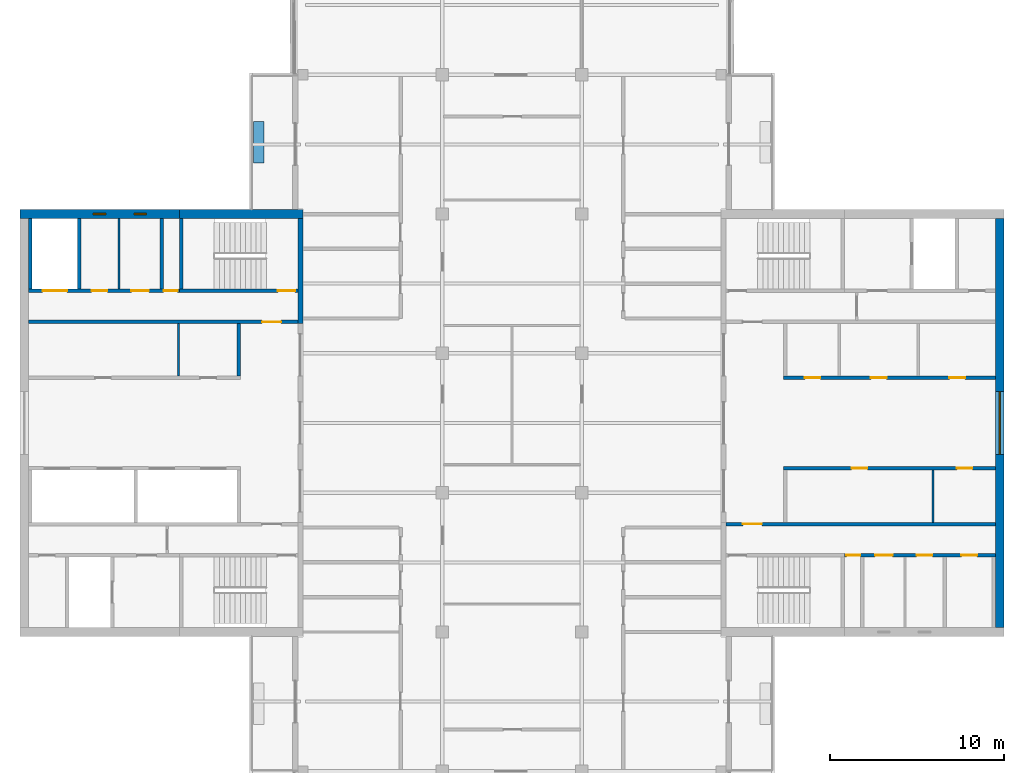
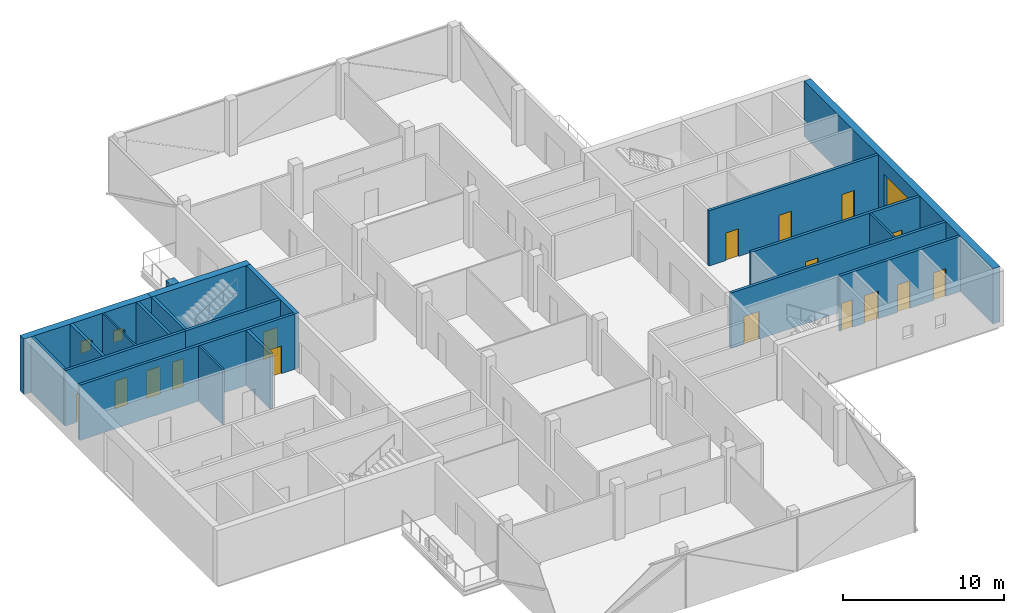
# One storey, part 7 of 12: 20 walls, 16 doors, 3 windows, 19 openings.
"""IFC4 building model written with IfcOpenShell, lengths in metres."""

from ifc_helpers import new_model, si_unit, direction, frame, frame_2d, origin, place, context, subcontext, project, spatial, rectangle, extrude, material, layer, layer_set, constituent, constituent_set, type_object, element, fill, save


model = new_model("IFC4")

# Units and contexts
model_context = context("Model", 3, precision=1e-05, world=origin(), true_north=direction((0.0, 1.0)))
body_context = subcontext(model_context, "Body", "Model", "MODEL_VIEW")
ifc_project = project(units=[si_unit("LENGTHUNIT", "METRE"), si_unit("AREAUNIT", "SQUARE_METRE"), si_unit("VOLUMEUNIT", "CUBIC_METRE"), si_unit("PLANEANGLEUNIT", "RADIAN"), si_unit("MASSUNIT", "GRAM", prefix="KILO")], contexts=[model_context])

# Site, building, storey
site_placement = place(None, origin())
site = spatial("IfcSite", under=ifc_project, at=site_placement, CompositionType="ELEMENT")
building_placement = place(site_placement, origin())
building = spatial("IfcBuilding", under=site, at=building_placement, Name="Crosswind Convention Tower", CompositionType="ELEMENT")
storey_placement = place(building_placement, frame((0.0, 0.0, 245.10009765625)))
storey = spatial("IfcBuildingStorey", under=building, at=storey_placement, Name="L52", CompositionType="ELEMENT", Elevation=245.10009765625)

# Walls
ifc_material_1 = material(Name="Concrete blockwork", Category="masonry")
ifc_layer_1 = layer(ifc_material_1, 0.199951171875)
ifc_layer_set_1 = layer_set([ifc_layer_1], Name="Blockwork partition wall 200")
wall_type_1 = type_object("IfcWallType", Name="Blockwork partition wall 200", PredefinedType="PARTITIONING", material=ifc_layer_set_1)
wall_1_placement = place(storey_placement, frame((104.89990234375, 111.75, 0.0), z_axis=(0.0, 0.0, 1.0), x_axis=(0.0, -1.0, 0.0)))
element("IfcWall", 1, at=wall_1_placement, inside=storey, type_object=wall_type_1, Name="Wall MRSE W L52", PredefinedType="PARTITIONING", context=body_context, shape_type="SweptSolid", body=[
    extrude(rectangle(XDim=4.050048828125, YDim=0.199951171875, at=frame_2d((2.02490234375, 0.0))), origin(), (0.0, 0.0, 1.0), 4.199951171875),
])
ifc_material_2 = material(Name="Concrete C50/60", Category="concrete")
ifc_layer_2 = layer(ifc_material_2, 0.300048828125)
ifc_layer_set_2 = layer_set([ifc_layer_2], Name="Concrete C50/60")
wall_type_2 = type_object("IfcWallType", Name="Concrete inner core wall 300", PredefinedType="SHEAR", material=ifc_layer_set_2)
wall_2_placement = place(storey_placement, frame((112.85009765625, 111.75, 0.0), z_axis=(0.0, 0.0, 1.0), x_axis=(0.0, -1.0, 0.0)))
element("IfcWall", 2, at=wall_2_placement, inside=storey, type_object=wall_type_2, Name="Wall EM W L52", PredefinedType="SHEAR", context=body_context, shape_type="SweptSolid", body=[
    extrude(rectangle(XDim=6.050048828125, YDim=0.300048828125, at=frame_2d((3.02490234375, 0.0))), origin(), (0.0, 0.0, 1.0), 4.199951171875),
])

# Wall, openings, doors
ifc_layer_3 = layer(ifc_material_2, 0.199951171875)
ifc_layer_set_3 = layer_set([ifc_layer_3], Name="Concrete C50/60")
wall_type_3 = type_object("IfcWallType", Name="Concrete shaft and stair wall 200", PredefinedType="SHEAR", material=ifc_layer_set_3)
wall_3_placement = place(storey_placement, frame((140.60009765625, 102.60009765625, 0.0), z_axis=(0.0, 0.0, 1.0), x_axis=(1.0, 0.0, 0.0)))
wall_3 = element("IfcWall", 3, at=wall_3_placement, inside=storey, type_object=wall_type_3, Name="Wall RPFRONT E L52", PredefinedType="SHEAR", context=body_context, shape_type="SweptSolid", body=[
    extrude(rectangle(XDim=12.14990234375, YDim=0.199951171875, at=frame_2d((6.074951171875, 0.0))), origin(), (0.0, 0.0, 1.0), 4.199951171875),
])
opening_1_placement = place(wall_3_placement, frame((1.21240234375, 0.0, 0.0)))
opening_1 = element("IfcOpeningElement", 4, at=opening_1_placement, cuts=wall_3, Name="Opening D106", PredefinedType="OPENING", context=body_context, shape_type="SweptSolid", body=[
    extrude(rectangle(XDim=0.89990234375, YDim=2.10009765625, at=frame_2d((0.449951171875, 1.050048828125))), frame((0.0, 0.10986328125, 0.0), z_axis=(0.0, -1.0, 0.0), x_axis=(1.0, 0.0, 0.0)), (0.0, 0.0, 1.0), 0.219970703125),
])
opening_2_placement = place(wall_3_placement, frame((5.008056640625, 0.0, 0.0)))
opening_2 = element("IfcOpeningElement", 5, at=opening_2_placement, cuts=wall_3, Name="Opening D106", PredefinedType="OPENING", context=body_context, shape_type="SweptSolid", body=[
    extrude(rectangle(XDim=0.89990234375, YDim=2.10009765625, at=frame_2d((0.449951171875, 1.050048828125))), frame((0.0, 0.10986328125, 0.0), z_axis=(0.0, -1.0, 0.0), x_axis=(1.0, 0.0, 0.0)), (0.0, 0.0, 1.0), 0.219970703125),
])
opening_3_placement = place(wall_3_placement, frame((9.5205078125, 0.0, 0.0)))
opening_3 = element("IfcOpeningElement", 6, at=opening_3_placement, cuts=wall_3, Name="Opening D106", PredefinedType="OPENING", context=body_context, shape_type="SweptSolid", body=[
    extrude(rectangle(XDim=0.89990234375, YDim=2.10009765625, at=frame_2d((0.449951171875, 1.050048828125))), frame((0.0, 0.10986328125, 0.0), z_axis=(0.0, -1.0, 0.0), x_axis=(1.0, 0.0, 0.0)), (0.0, 0.0, 1.0), 0.219970703125),
])
ifc_material_3 = material(Name="Timber door", Category="wood")
door_type_1 = type_object("IfcDoorType", Name="Single leaf door 900x2100", OperationType="NOTDEFINED", PredefinedType="DOOR", material=ifc_material_3)
door_1_placement = place(opening_1_placement, origin())
door_1 = element("IfcDoor", 7, at=door_1_placement, inside=storey, type_object=door_type_1, Name="Door to meeting room L52", ObjectType="D106", OperationType="SINGLE_SWING_RIGHT", OverallHeight=2.10009765625, OverallWidth=0.89990234375, PredefinedType="DOOR", context=body_context, shape_type="SweptSolid", body=[
    extrude(rectangle(XDim=0.89990234375, YDim=2.10009765625, at=frame_2d((0.449951171875, 1.050048828125))), frame((0.0, 0.02490234375, 0.0), z_axis=(0.0, -1.0, 0.0), x_axis=(1.0, 0.0, 0.0)), (0.0, 0.0, 1.0), 0.050048828125),
])
fill(opening_1, door_1)
door_2_placement = place(opening_2_placement, origin())
door_2 = element("IfcDoor", 8, at=door_2_placement, inside=storey, type_object=door_type_1, Name="Door to pantry L52", ObjectType="D106", OperationType="SINGLE_SWING_RIGHT", OverallHeight=2.10009765625, OverallWidth=0.89990234375, PredefinedType="DOOR", context=body_context, shape_type="SweptSolid", body=[
    extrude(rectangle(XDim=0.89990234375, YDim=2.10009765625, at=frame_2d((0.449951171875, 1.050048828125))), frame((0.0, 0.02490234375, 0.0), z_axis=(0.0, -1.0, 0.0), x_axis=(1.0, 0.0, 0.0)), (0.0, 0.0, 1.0), 0.050048828125),
])
fill(opening_2, door_2)
door_3_placement = place(opening_3_placement, origin())
door_3 = element("IfcDoor", 9, at=door_3_placement, inside=storey, type_object=door_type_1, Name="Door to telecoms room L52", ObjectType="D106", OperationType="SINGLE_SWING_RIGHT", OverallHeight=2.10009765625, OverallWidth=0.89990234375, PredefinedType="DOOR", context=body_context, shape_type="SweptSolid", body=[
    extrude(rectangle(XDim=0.89990234375, YDim=2.10009765625, at=frame_2d((0.449951171875, 1.050048828125))), frame((0.0, 0.02490234375, 0.0), z_axis=(0.0, -1.0, 0.0), x_axis=(1.0, 0.0, 0.0)), (0.0, 0.0, 1.0), 0.050048828125),
])
fill(opening_3, door_3)

wall_4_placement = place(storey_placement, frame((140.60009765625, 97.39990234375, 0.0), z_axis=(0.0, 0.0, 1.0), x_axis=(1.0, 0.0, 0.0)))
wall_4 = element("IfcWall", 10, at=wall_4_placement, inside=storey, type_object=wall_type_3, Name="Wall RMFRONT E L52", PredefinedType="SHEAR", context=body_context, shape_type="SweptSolid", body=[
    extrude(rectangle(XDim=12.14990234375, YDim=0.199951171875, at=frame_2d((6.074951171875, 0.0))), origin(), (0.0, 0.0, 1.0), 4.199951171875),
])
opening_4_placement = place(wall_4_placement, frame((3.9013671875, 0.0, 0.0)))
opening_4 = element("IfcOpeningElement", 11, at=opening_4_placement, cuts=wall_4, Name="Opening D106", PredefinedType="OPENING", context=body_context, shape_type="SweptSolid", body=[
    extrude(rectangle(XDim=0.89990234375, YDim=2.10009765625, at=frame_2d((0.449951171875, 1.050048828125))), frame((0.0, 0.10986328125, 0.0), z_axis=(0.0, -1.0, 0.0), x_axis=(1.0, 0.0, 0.0)), (0.0, 0.0, 1.0), 0.219970703125),
])
opening_5_placement = place(wall_4_placement, frame((9.938720703125, 0.0, 0.0)))
opening_5 = element("IfcOpeningElement", 12, at=opening_5_placement, cuts=wall_4, Name="Opening D106", PredefinedType="OPENING", context=body_context, shape_type="SweptSolid", body=[
    extrude(rectangle(XDim=0.89990234375, YDim=2.10009765625, at=frame_2d((0.449951171875, 1.050048828125))), frame((0.0, 0.10986328125, 0.0), z_axis=(0.0, -1.0, 0.0), x_axis=(1.0, 0.0, 0.0)), (0.0, 0.0, 1.0), 0.219970703125),
])
door_4_placement = place(opening_4_placement, frame((0.89990234375, 0.0, 0.0), z_axis=(0.0, 0.0, 1.0), x_axis=(-1.0, 0.0, 0.0)))
door_4 = element("IfcDoor", 13, at=door_4_placement, inside=storey, type_object=door_type_1, Name="Door to pantry L52", ObjectType="D106", OperationType="SINGLE_SWING_LEFT", OverallHeight=2.10009765625, OverallWidth=0.89990234375, PredefinedType="DOOR", context=body_context, shape_type="SweptSolid", body=[
    extrude(rectangle(XDim=0.89990234375, YDim=2.10009765625, at=frame_2d((0.449951171875, 1.050048828125))), frame((0.0, 0.02490234375, 0.0), z_axis=(0.0, -1.0, 0.0), x_axis=(1.0, 0.0, 0.0)), (0.0, 0.0, 1.0), 0.050048828125),
])
fill(opening_4, door_4)
door_5_placement = place(opening_5_placement, frame((0.89990234375, 0.0, 0.0), z_axis=(0.0, 0.0, 1.0), x_axis=(-1.0, 0.0, 0.0)))
door_5 = element("IfcDoor", 14, at=door_5_placement, inside=storey, type_object=door_type_1, Name="Door to telecoms room L52", ObjectType="D106", OperationType="SINGLE_SWING_LEFT", OverallHeight=2.10009765625, OverallWidth=0.89990234375, PredefinedType="DOOR", context=body_context, shape_type="SweptSolid", body=[
    extrude(rectangle(XDim=0.89990234375, YDim=2.10009765625, at=frame_2d((0.449951171875, 1.050048828125))), frame((0.0, 0.02490234375, 0.0), z_axis=(0.0, -1.0, 0.0), x_axis=(1.0, 0.0, 0.0)), (0.0, 0.0, 1.0), 0.050048828125),
])
fill(opening_5, door_5)

# Wall, opening, door
wall_5_placement = place(storey_placement, frame((137.300048828125, 94.199951171875, 0.0), z_axis=(0.0, 0.0, 1.0), x_axis=(1.0, 0.0, 0.0)))
wall_5 = element("IfcWall", 15, at=wall_5_placement, inside=storey, type_object=wall_type_3, Name="Wall HM E L52", PredefinedType="SHEAR", context=body_context, shape_type="SweptSolid", body=[
    extrude(rectangle(XDim=15.449951171875, YDim=0.199951171875, at=frame_2d((7.72509765625, 0.0))), origin(), (0.0, 0.0, 1.0), 4.199951171875),
])
opening_6_placement = place(wall_5_placement, frame((0.949951171875, 0.0, 0.0)))
opening_6 = element("IfcOpeningElement", 16, at=opening_6_placement, cuts=wall_5, Name="Opening D104", PredefinedType="OPENING", context=body_context, shape_type="SweptSolid", body=[
    extrude(rectangle(XDim=1.10009765625, YDim=2.10009765625, at=frame_2d((0.550048828125, 1.050048828125))), frame((0.0, 0.10986328125, 0.0), z_axis=(0.0, -1.0, 0.0), x_axis=(1.0, 0.0, 0.0)), (0.0, 0.0, 1.0), 0.219970703125),
])
ifc_material_4 = material(Name="Steel fire door", Category="steel")
door_type_2 = type_object("IfcDoorType", Name="Fire-rated single door 1100x2100", OperationType="NOTDEFINED", PredefinedType="DOOR", material=ifc_material_4)
door_6_placement = place(opening_6_placement, origin())
door_6 = element("IfcDoor", 17, at=door_6_placement, inside=storey, type_object=door_type_2, Name="Corridor door L52", ObjectType="D104", OperationType="SINGLE_SWING_LEFT", OverallHeight=2.10009765625, OverallWidth=1.10009765625, PredefinedType="DOOR", context=body_context, shape_type="SweptSolid", body=[
    extrude(rectangle(XDim=1.10009765625, YDim=2.10009765625, at=frame_2d((0.550048828125, 1.050048828125))), frame((0.0, 0.02490234375, 0.0), z_axis=(0.0, -1.0, 0.0), x_axis=(1.0, 0.0, 0.0)), (0.0, 0.0, 1.0), 0.050048828125),
])
fill(opening_6, door_6)

# Wall, openings, doors
wall_6_placement = place(storey_placement, frame((144.10009765625, 92.39990234375, 0.0), z_axis=(0.0, 0.0, 1.0), x_axis=(1.0, 0.0, 0.0)))
wall_6 = element("IfcWall", 18, at=wall_6_placement, inside=storey, type_object=wall_type_3, Name="Wall MCX E L52", PredefinedType="SHEAR", context=body_context, shape_type="SweptSolid", body=[
    extrude(rectangle(XDim=8.64990234375, YDim=0.199951171875, at=frame_2d((4.324951171875, 0.0))), origin(), (0.0, 0.0, 1.0), 4.199951171875),
])
opening_7_placement = place(wall_6_placement, frame((0.10009765625, 0.0, 0.0)))
opening_7 = element("IfcOpeningElement", 19, at=opening_7_placement, cuts=wall_6, Name="Opening D105", PredefinedType="OPENING", context=body_context, shape_type="SweptSolid", body=[
    extrude(rectangle(XDim=0.800048828125, YDim=2.10009765625, at=frame_2d((0.39990234375, 1.050048828125))), frame((0.0, 0.10986328125, 0.0), z_axis=(0.0, -1.0, 0.0), x_axis=(1.0, 0.0, 0.0)), (0.0, 0.0, 1.0), 0.219970703125),
])
opening_8_placement = place(wall_6_placement, frame((1.751708984375, 0.0, 0.0)))
opening_8 = element("IfcOpeningElement", 20, at=opening_8_placement, cuts=wall_6, Name="Opening D103", PredefinedType="OPENING", context=body_context, shape_type="SweptSolid", body=[
    extrude(rectangle(XDim=1.0, YDim=2.10009765625, at=frame_2d((0.5, 1.050048828125))), frame((0.0, 0.10986328125, 0.0), z_axis=(0.0, -1.0, 0.0), x_axis=(1.0, 0.0, 0.0)), (0.0, 0.0, 1.0), 0.219970703125),
])
opening_9_placement = place(wall_6_placement, frame((4.13916015625, 0.0, 0.0)))
opening_9 = element("IfcOpeningElement", 21, at=opening_9_placement, cuts=wall_6, Name="Opening D106", PredefinedType="OPENING", context=body_context, shape_type="SweptSolid", body=[
    extrude(rectangle(XDim=0.89990234375, YDim=2.10009765625, at=frame_2d((0.449951171875, 1.050048828125))), frame((0.0, 0.10986328125, 0.0), z_axis=(0.0, -1.0, 0.0), x_axis=(1.0, 0.0, 0.0)), (0.0, 0.0, 1.0), 0.219970703125),
])
opening_10_placement = place(wall_6_placement, frame((6.699951171875, 0.0, 0.0)))
opening_10 = element("IfcOpeningElement", 22, at=opening_10_placement, cuts=wall_6, Name="Opening D106", PredefinedType="OPENING", context=body_context, shape_type="SweptSolid", body=[
    extrude(rectangle(XDim=0.89990234375, YDim=2.10009765625, at=frame_2d((0.449951171875, 1.050048828125))), frame((0.0, 0.10986328125, 0.0), z_axis=(0.0, -1.0, 0.0), x_axis=(1.0, 0.0, 0.0)), (0.0, 0.0, 1.0), 0.219970703125),
])
door_type_3 = type_object("IfcDoorType", Name="Fire-rated single door 1000x2100", OperationType="NOTDEFINED", PredefinedType="DOOR", material=ifc_material_4)
door_7_placement = place(opening_8_placement, frame((1.0, 0.0, 0.0), z_axis=(0.0, 0.0, 1.0), x_axis=(-1.0, 0.0, 0.0)))
door_7 = element("IfcDoor", 23, at=door_7_placement, inside=storey, type_object=door_type_3, Name="Door to accessible wc L52", ObjectType="D103", OperationType="SINGLE_SWING_LEFT", OverallHeight=2.10009765625, OverallWidth=1.0, PredefinedType="DOOR", context=body_context, shape_type="SweptSolid", body=[
    extrude(rectangle(XDim=1.0, YDim=2.10009765625, at=frame_2d((0.5, 1.050048828125))), frame((0.0, 0.02490234375, 0.0), z_axis=(0.0, -1.0, 0.0), x_axis=(1.0, 0.0, 0.0)), (0.0, 0.0, 1.0), 0.050048828125),
])
fill(opening_8, door_7)
door_type_4 = type_object("IfcDoorType", Name="Riser access door 800x2100", OperationType="NOTDEFINED", PredefinedType="DOOR", material=ifc_material_4)
door_8_placement = place(opening_7_placement, frame((0.800048828125, 0.0, 0.0), z_axis=(0.0, 0.0, 1.0), x_axis=(-1.0, 0.0, 0.0)))
door_8 = element("IfcDoor", 24, at=door_8_placement, inside=storey, type_object=door_type_4, Name="Riser door L52", ObjectType="D105", OperationType="SINGLE_SWING_LEFT", OverallHeight=2.10009765625, OverallWidth=0.800048828125, PredefinedType="DOOR", context=body_context, shape_type="SweptSolid", body=[
    extrude(rectangle(XDim=0.800048828125, YDim=2.10009765625, at=frame_2d((0.39990234375, 1.050048828125))), frame((0.0, 0.02490234375, 0.0), z_axis=(0.0, -1.0, 0.0), x_axis=(1.0, 0.0, 0.0)), (0.0, 0.0, 1.0), 0.050048828125),
])
fill(opening_7, door_8)
door_9_placement = place(opening_9_placement, frame((0.89990234375, 0.0, 0.0), z_axis=(0.0, 0.0, 1.0), x_axis=(-1.0, 0.0, 0.0)))
door_9 = element("IfcDoor", 25, at=door_9_placement, inside=storey, type_object=door_type_1, Name="Door to wc L52", ObjectType="D106", OperationType="SINGLE_SWING_LEFT", OverallHeight=2.10009765625, OverallWidth=0.89990234375, PredefinedType="DOOR", context=body_context, shape_type="SweptSolid", body=[
    extrude(rectangle(XDim=0.89990234375, YDim=2.10009765625, at=frame_2d((0.449951171875, 1.050048828125))), frame((0.0, 0.02490234375, 0.0), z_axis=(0.0, -1.0, 0.0), x_axis=(1.0, 0.0, 0.0)), (0.0, 0.0, 1.0), 0.050048828125),
])
fill(opening_9, door_9)
door_10_placement = place(opening_10_placement, frame((0.89990234375, 0.0, 0.0), z_axis=(0.0, 0.0, 1.0), x_axis=(-1.0, 0.0, 0.0)))
door_10 = element("IfcDoor", 26, at=door_10_placement, inside=storey, type_object=door_type_1, Name="Door to wc L52", ObjectType="D106", OperationType="SINGLE_SWING_LEFT", OverallHeight=2.10009765625, OverallWidth=0.89990234375, PredefinedType="DOOR", context=body_context, shape_type="SweptSolid", body=[
    extrude(rectangle(XDim=0.89990234375, YDim=2.10009765625, at=frame_2d((0.449951171875, 1.050048828125))), frame((0.0, 0.02490234375, 0.0), z_axis=(0.0, -1.0, 0.0), x_axis=(1.0, 0.0, 0.0)), (0.0, 0.0, 1.0), 0.050048828125),
])
fill(opening_10, door_10)

# Wall
wall_7_placement = place(storey_placement, frame((109.300048828125, 105.699951171875, 0.0), z_axis=(0.0, 0.0, 1.0), x_axis=(0.0, -1.0, 0.0)))
element("IfcWall", 27, at=wall_7_placement, inside=storey, type_object=wall_type_3, Name="Wall RMEND W L52", PredefinedType="SHEAR", context=body_context, shape_type="SweptSolid", body=[
    extrude(rectangle(XDim=3.0, YDim=0.199951171875, at=frame_2d((1.5, 0.0))), origin(), (0.0, 0.0, 1.0), 4.199951171875),
])

# Wall, opening, door
wall_8_placement = place(storey_placement, frame((112.699951171875, 105.800048828125, 0.0), z_axis=(0.0, 0.0, 1.0), x_axis=(-1.0, 0.0, 0.0)))
wall_8 = element("IfcWall", 28, at=wall_8_placement, inside=storey, type_object=wall_type_3, Name="Wall HM W L52", PredefinedType="SHEAR", context=body_context, shape_type="SweptSolid", body=[
    extrude(rectangle(XDim=15.449951171875, YDim=0.199951171875, at=frame_2d((7.72509765625, 0.0))), origin(), (0.0, 0.0, 1.0), 4.199951171875),
])
opening_11_placement = place(wall_8_placement, frame((0.949951171875, 0.0, 0.0)))
opening_11 = element("IfcOpeningElement", 29, at=opening_11_placement, cuts=wall_8, Name="Opening D104", PredefinedType="OPENING", context=body_context, shape_type="SweptSolid", body=[
    extrude(rectangle(XDim=1.10009765625, YDim=2.10009765625, at=frame_2d((0.550048828125, 1.050048828125))), frame((0.0, 0.10986328125, 0.0), z_axis=(0.0, -1.0, 0.0), x_axis=(1.0, 0.0, 0.0)), (0.0, 0.0, 1.0), 0.219970703125),
])
door_11_placement = place(opening_11_placement, origin())
door_11 = element("IfcDoor", 30, at=door_11_placement, inside=storey, type_object=door_type_2, Name="Corridor door L52", ObjectType="D104", OperationType="SINGLE_SWING_LEFT", OverallHeight=2.10009765625, OverallWidth=1.10009765625, PredefinedType="DOOR", context=body_context, shape_type="SweptSolid", body=[
    extrude(rectangle(XDim=1.10009765625, YDim=2.10009765625, at=frame_2d((0.550048828125, 1.050048828125))), frame((0.0, 0.02490234375, 0.0), z_axis=(0.0, -1.0, 0.0), x_axis=(1.0, 0.0, 0.0)), (0.0, 0.0, 1.0), 0.050048828125),
])
fill(opening_11, door_11)

# Walls
for number, where, z_axis, x_axis, name in (
    (31, (106.0, 111.75, 0.0), (0.0, 0.0, 1.0), (0.0, -1.0, 0.0), "Wall MSE W L52"),
    (32, (100.14990234375, 111.75, 0.0), (0.0, 0.0, 1.0), (0.0, -1.0, 0.0), "Wall MFSW W L52"),
    (33, (97.35009765625, 111.75, 0.0), (0.0, 0.0, 1.0), (0.0, -1.0, 0.0), "Wall MFSE W L52"),
):
    element("IfcWall", number, at=place(storey_placement, frame(where, z_axis=z_axis, x_axis=x_axis)), inside=storey, type_object=wall_type_3, Name=name, PredefinedType="SHEAR", context=body_context, shape_type="SweptSolid", body=[
        extrude(rectangle(XDim=4.050048828125, YDim=0.199951171875, at=frame_2d((2.02490234375, 0.0))), origin(), (0.0, 0.0, 1.0), 4.199951171875),
    ])

# Wall, opening, door
wall_9_placement = place(storey_placement, frame((112.699951171875, 107.60009765625, 0.0), z_axis=(0.0, 0.0, 1.0), x_axis=(-1.0, 0.0, 0.0)))
wall_9 = element("IfcWall", 34, at=wall_9_placement, inside=storey, type_object=wall_type_3, Name="Wall MCW W L52", PredefinedType="SHEAR", context=body_context, shape_type="SweptSolid", body=[
    extrude(rectangle(XDim=6.800048828125, YDim=0.199951171875, at=frame_2d((3.39990234375, 0.0))), origin(), (0.0, 0.0, 1.0), 4.199951171875),
])
opening_12_placement = place(wall_9_placement, frame((0.14990234375, 0.0, 0.0)))
opening_12 = element("IfcOpeningElement", 35, at=opening_12_placement, cuts=wall_9, Name="Opening D103", PredefinedType="OPENING", context=body_context, shape_type="SweptSolid", body=[
    extrude(rectangle(XDim=1.0, YDim=2.10009765625, at=frame_2d((0.5, 1.050048828125))), frame((0.0, 0.10986328125, 0.0), z_axis=(0.0, -1.0, 0.0), x_axis=(1.0, 0.0, 0.0)), (0.0, 0.0, 1.0), 0.219970703125),
])
door_12_placement = place(opening_12_placement, frame((1.0, 0.0, 0.0), z_axis=(0.0, 0.0, 1.0), x_axis=(-1.0, 0.0, 0.0)))
door_12 = element("IfcDoor", 36, at=door_12_placement, inside=storey, type_object=door_type_3, Name="Stair ST4 door L52", ObjectType="D103", OperationType="SINGLE_SWING_RIGHT", OverallHeight=2.10009765625, OverallWidth=1.0, PredefinedType="DOOR", context=body_context, shape_type="SweptSolid", body=[
    extrude(rectangle(XDim=1.0, YDim=2.10009765625, at=frame_2d((0.5, 1.050048828125))), frame((0.0, 0.02490234375, 0.0), z_axis=(0.0, -1.0, 0.0), x_axis=(1.0, 0.0, 0.0)), (0.0, 0.0, 1.0), 0.050048828125),
])
fill(opening_12, door_12)

# Wall, openings, doors
wall_10_placement = place(storey_placement, frame((105.89990234375, 107.60009765625, 0.0), z_axis=(0.0, 0.0, 1.0), x_axis=(-1.0, 0.0, 0.0)))
wall_10 = element("IfcWall", 37, at=wall_10_placement, inside=storey, type_object=wall_type_3, Name="Wall MCX W L52", PredefinedType="SHEAR", context=body_context, shape_type="SweptSolid", body=[
    extrude(rectangle(XDim=8.64990234375, YDim=0.199951171875, at=frame_2d((4.324951171875, 0.0))), origin(), (0.0, 0.0, 1.0), 4.199951171875),
])
opening_13_placement = place(wall_10_placement, frame((0.10009765625, 0.0, 0.0)))
opening_13 = element("IfcOpeningElement", 38, at=opening_13_placement, cuts=wall_10, Name="Opening D105", PredefinedType="OPENING", context=body_context, shape_type="SweptSolid", body=[
    extrude(rectangle(XDim=0.800048828125, YDim=2.10009765625, at=frame_2d((0.39990234375, 1.050048828125))), frame((0.0, 0.10986328125, 0.0), z_axis=(0.0, -1.0, 0.0), x_axis=(1.0, 0.0, 0.0)), (0.0, 0.0, 1.0), 0.219970703125),
])
opening_14_placement = place(wall_10_placement, frame((1.751708984375, 0.0, 0.0)))
opening_14 = element("IfcOpeningElement", 39, at=opening_14_placement, cuts=wall_10, Name="Opening D103", PredefinedType="OPENING", context=body_context, shape_type="SweptSolid", body=[
    extrude(rectangle(XDim=1.0, YDim=2.10009765625, at=frame_2d((0.5, 1.050048828125))), frame((0.0, 0.10986328125, 0.0), z_axis=(0.0, -1.0, 0.0), x_axis=(1.0, 0.0, 0.0)), (0.0, 0.0, 1.0), 0.219970703125),
])
opening_15_placement = place(wall_10_placement, frame((4.13916015625, 0.0, 0.0)))
opening_15 = element("IfcOpeningElement", 40, at=opening_15_placement, cuts=wall_10, Name="Opening D106", PredefinedType="OPENING", context=body_context, shape_type="SweptSolid", body=[
    extrude(rectangle(XDim=0.89990234375, YDim=2.10009765625, at=frame_2d((0.449951171875, 1.050048828125))), frame((0.0, 0.10986328125, 0.0), z_axis=(0.0, -1.0, 0.0), x_axis=(1.0, 0.0, 0.0)), (0.0, 0.0, 1.0), 0.219970703125),
])
opening_16_placement = place(wall_10_placement, frame((6.449951171875, 0.0, 0.0)))
opening_16 = element("IfcOpeningElement", 41, at=opening_16_placement, cuts=wall_10, Name="Opening LD2", PredefinedType="OPENING", context=body_context, shape_type="SweptSolid", body=[
    extrude(rectangle(XDim=1.39990234375, YDim=2.10009765625, at=frame_2d((0.699951171875, 1.050048828125))), frame((0.0, 0.10986328125, 0.0), z_axis=(0.0, -1.0, 0.0), x_axis=(1.0, 0.0, 0.0)), (0.0, 0.0, 1.0), 0.219970703125),
])
door_13_placement = place(opening_14_placement, frame((1.0, 0.0, 0.0), z_axis=(0.0, 0.0, 1.0), x_axis=(-1.0, 0.0, 0.0)))
door_13 = element("IfcDoor", 42, at=door_13_placement, inside=storey, type_object=door_type_3, Name="Door to accessible wc L52", ObjectType="D103", OperationType="SINGLE_SWING_LEFT", OverallHeight=2.10009765625, OverallWidth=1.0, PredefinedType="DOOR", context=body_context, shape_type="SweptSolid", body=[
    extrude(rectangle(XDim=1.0, YDim=2.10009765625, at=frame_2d((0.5, 1.050048828125))), frame((0.0, 0.02490234375, 0.0), z_axis=(0.0, -1.0, 0.0), x_axis=(1.0, 0.0, 0.0)), (0.0, 0.0, 1.0), 0.050048828125),
])
fill(opening_14, door_13)
ifc_material_5 = material(Name="Stainless steel", Category="steel")
door_type_5 = type_object("IfcDoorType", Name="Lift landing door 1400x2100", OperationType="DOUBLE_DOOR_SLIDING", PredefinedType="DOOR", material=ifc_material_5)
door_14_placement = place(opening_16_placement, origin())
door_14 = element("IfcDoor", 43, at=door_14_placement, inside=storey, type_object=door_type_5, Name="Landing door SV2 L52", ObjectType="LD2", OperationType="DOUBLE_DOOR_SLIDING", OverallHeight=2.10009765625, OverallWidth=1.39990234375, PredefinedType="DOOR", context=body_context, shape_type="SweptSolid", body=[
    extrude(rectangle(XDim=1.39990234375, YDim=2.10009765625, at=frame_2d((0.699951171875, 1.050048828125))), frame((0.0, 0.02490234375, 0.0), z_axis=(0.0, -1.0, 0.0), x_axis=(1.0, 0.0, 0.0)), (0.0, 0.0, 1.0), 0.050048828125),
])
fill(opening_16, door_14)
door_15_placement = place(opening_13_placement, frame((0.800048828125, 0.0, 0.0), z_axis=(0.0, 0.0, 1.0), x_axis=(-1.0, 0.0, 0.0)))
door_15 = element("IfcDoor", 44, at=door_15_placement, inside=storey, type_object=door_type_4, Name="Riser door L52", ObjectType="D105", OperationType="SINGLE_SWING_LEFT", OverallHeight=2.10009765625, OverallWidth=0.800048828125, PredefinedType="DOOR", context=body_context, shape_type="SweptSolid", body=[
    extrude(rectangle(XDim=0.800048828125, YDim=2.10009765625, at=frame_2d((0.39990234375, 1.050048828125))), frame((0.0, 0.02490234375, 0.0), z_axis=(0.0, -1.0, 0.0), x_axis=(1.0, 0.0, 0.0)), (0.0, 0.0, 1.0), 0.050048828125),
])
fill(opening_13, door_15)
door_16_placement = place(opening_15_placement, frame((0.89990234375, 0.0, 0.0), z_axis=(0.0, 0.0, 1.0), x_axis=(-1.0, 0.0, 0.0)))
door_16 = element("IfcDoor", 45, at=door_16_placement, inside=storey, type_object=door_type_1, Name="Door to wc L52", ObjectType="D106", OperationType="SINGLE_SWING_LEFT", OverallHeight=2.10009765625, OverallWidth=0.89990234375, PredefinedType="DOOR", context=body_context, shape_type="SweptSolid", body=[
    extrude(rectangle(XDim=0.89990234375, YDim=2.10009765625, at=frame_2d((0.449951171875, 1.050048828125))), frame((0.0, 0.02490234375, 0.0), z_axis=(0.0, -1.0, 0.0), x_axis=(1.0, 0.0, 0.0)), (0.0, 0.0, 1.0), 0.050048828125),
])
fill(opening_15, door_16)

# Walls
ifc_material_6 = material(Name="Gypsum plasterboard partition", Category="gypsum")
ifc_layer_4 = layer(ifc_material_6, 0.125)
ifc_layer_set_4 = layer_set([ifc_layer_4], Name="Drywall partition wall 125")
wall_type_4 = type_object("IfcWallType", Name="Drywall partition wall 125", PredefinedType="PARTITIONING", material=ifc_layer_set_4)
for number, where, z_axis, x_axis, name in (
    (46, (149.1650390625, 94.300048828125, 0.0), (0.0, 0.0, 1.0), (0.0, 1.0, 0.0), "Wall RMP1 E L52"),
    (47, (105.85400390625, 105.699951171875, 0.0), (0.0, 0.0, 1.0), (0.0, -1.0, 0.0), "Wall RMP1 W L52"),
):
    element("IfcWall", number, at=place(storey_placement, frame(where, z_axis=z_axis, x_axis=x_axis)), inside=storey, type_object=wall_type_4, Name=name, PredefinedType="PARTITIONING", context=body_context, shape_type="SweptSolid", body=[
        extrude(rectangle(XDim=3.0, YDim=0.125, at=frame_2d((1.5, 0.0))), origin(), (0.0, 0.0, 1.0), 4.199951171875),
    ])
wall_11_placement = place(storey_placement, frame((102.43408203125, 111.75, 0.0), z_axis=(0.0, 0.0, 1.0), x_axis=(0.0, -1.0, 0.0)))
element("IfcWall", 48, at=wall_11_placement, inside=storey, type_object=wall_type_4, Name="Wall MWP1 W L52", PredefinedType="PARTITIONING", context=body_context, shape_type="SweptSolid", body=[
    extrude(rectangle(XDim=4.050048828125, YDim=0.125, at=frame_2d((2.02490234375, 0.0))), origin(), (0.0, 0.0, 1.0), 4.199951171875),
])
ifc_material_7 = material(Name="Concrete C30/37", Category="concrete")
ifc_layer_5 = layer(ifc_material_7, 0.60009765625)
ifc_layer_set_5 = layer_set([ifc_layer_5], Name="Concrete C30/37")
wall_type_5 = type_object("IfcWallType", Name="PLANTER BOX WALL 600", PredefinedType="SOLIDWALL", material=ifc_layer_set_5)
wall_12_placement = place(storey_placement, frame((110.449951171875, 117.324951171875, 0.0), z_axis=(0.0, 0.0, 1.0), x_axis=(0.0, -1.0, 0.0)))
element("IfcWall", 49, at=wall_12_placement, inside=storey, type_object=wall_type_5, Name="PLANTER L52 N-W.1-2", PredefinedType="SOLIDWALL", context=body_context, shape_type="SweptSolid", body=[
    extrude(rectangle(XDim=2.39990234375, YDim=0.60009765625, at=frame_2d((1.199951171875, 0.0))), origin(), (0.0, 0.0, 1.0), 0.599853515625),
])

# Wall, opening, window
ifc_material_8 = material(Name="Concrete C60/75", Category="concrete")
ifc_constituent_1 = constituent(ifc_material_8, Name="Structure")
ifc_material_9 = material(Name="Terracotta rainscreen", Category="ceramic")
ifc_constituent_2 = constituent(ifc_material_9, Name="Facing")
ifc_constituent_set = constituent_set(constituents=[ifc_constituent_1, ifc_constituent_2], Name="Concrete C60/75, Terracotta rainscreen")
wall_type_6 = type_object("IfcWallType", Name="Terracotta rainscreen on concrete core wall 500", PredefinedType="SHEAR", material=ifc_constituent_set)
wall_13_placement = place(storey_placement, frame((153.0, 88.25, 0.0), z_axis=(0.0, 0.0, 1.0), x_axis=(0.0, 1.0, 0.0)))
wall_13 = element("IfcWall", 50, at=wall_13_placement, inside=storey, type_object=wall_type_6, Name="Wall O E L52", PredefinedType="SHEAR", context=body_context, shape_type="SweptSolid", body=[
    extrude(rectangle(XDim=23.5, YDim=0.5, at=frame_2d((11.75, 0.0))), origin(), (0.0, 0.0, 1.0), 4.199951171875),
])
opening_17_placement = place(wall_13_placement, frame((9.949951171875, 0.0, 0.14990234375)))
opening_17 = element("IfcOpeningElement", 51, at=opening_17_placement, cuts=wall_13, Name="Opening W1", PredefinedType="OPENING", context=body_context, shape_type="SweptSolid", body=[
    extrude(rectangle(XDim=3.60009765625, YDim=3.0, at=frame_2d((1.800048828125, 1.5))), frame((0.0, 0.260009765625, 0.0), z_axis=(0.0, -1.0, 0.0), x_axis=(1.0, 0.0, 0.0)), (0.0, 0.0, 1.0), 0.52001953125),
])
ifc_material_10 = material(Name="Clear laminated glass in aluminium frame", Category="aluminium")
window_type_1 = type_object("IfcWindowType", Name="Lobby end window 3600x3000", PartitioningType="SINGLE_PANEL", PredefinedType="WINDOW", material=ifc_material_10)
window_1_placement = place(opening_17_placement, origin())
window_1 = element("IfcWindow", 52, at=window_1_placement, inside=storey, type_object=window_type_1, Name="Lobby end window L52", ObjectType="W1", OverallHeight=3.0, OverallWidth=3.60009765625, PartitioningType="SINGLE_PANEL", PredefinedType="WINDOW", context=body_context, shape_type="SweptSolid", body=[
    extrude(rectangle(XDim=3.60009765625, YDim=3.0, at=frame_2d((1.800048828125, 1.5))), frame((0.0, 0.030029296875, 0.0), z_axis=(0.0, -1.0, 0.0), x_axis=(1.0, 0.0, 0.0)), (0.0, 0.0, 1.0), 0.06005859375),
])
fill(opening_17, window_1)

# Wall
wall_14_placement = place(storey_placement, frame((113.0, 112.0, 0.0), z_axis=(0.0, 0.0, 1.0), x_axis=(-1.0, 0.0, 0.0)))
element("IfcWall", 53, at=wall_14_placement, inside=storey, type_object=wall_type_6, Name="Wall S1 W L52", PredefinedType="SHEAR", context=body_context, shape_type="SweptSolid", body=[
    extrude(rectangle(XDim=7.10009765625, YDim=0.5, at=frame_2d((3.550048828125, 0.0))), origin(), (0.0, 0.0, 1.0), 4.199951171875),
])

# Wall, openings, windows
wall_15_placement = place(storey_placement, frame((105.89990234375, 112.0, 0.0), z_axis=(0.0, 0.0, 1.0), x_axis=(-1.0, 0.0, 0.0)))
wall_15 = element("IfcWall", 54, at=wall_15_placement, inside=storey, type_object=wall_type_6, Name="Wall S2 W L52", PredefinedType="SHEAR", context=body_context, shape_type="SweptSolid", body=[
    extrude(rectangle(XDim=9.14990234375, YDim=0.5, at=frame_2d((4.574951171875, 0.0))), origin(), (0.0, 0.0, 1.0), 4.199951171875),
])
opening_18_placement = place(wall_15_placement, frame((1.90185546875, 0.0, 1.5)))
opening_18 = element("IfcOpeningElement", 55, at=opening_18_placement, cuts=wall_15, Name="Opening W2", PredefinedType="OPENING", context=body_context, shape_type="SweptSolid", body=[
    extrude(rectangle(XDim=0.699951171875, YDim=0.89990234375, at=frame_2d((0.35009765625, 0.449951171875))), frame((0.0, 0.260009765625, 0.0), z_axis=(0.0, -1.0, 0.0), x_axis=(1.0, 0.0, 0.0)), (0.0, 0.0, 1.0), 0.52001953125),
])
opening_19_placement = place(wall_15_placement, frame((4.2392578125, 0.0, 1.5)))
opening_19 = element("IfcOpeningElement", 56, at=opening_19_placement, cuts=wall_15, Name="Opening W2", PredefinedType="OPENING", context=body_context, shape_type="SweptSolid", body=[
    extrude(rectangle(XDim=0.699951171875, YDim=0.89990234375, at=frame_2d((0.35009765625, 0.449951171875))), frame((0.0, 0.260009765625, 0.0), z_axis=(0.0, -1.0, 0.0), x_axis=(1.0, 0.0, 0.0)), (0.0, 0.0, 1.0), 0.52001953125),
])
ifc_material_11 = material(Name="Obscure glass in aluminium frame", Category="aluminium")
window_type_2 = type_object("IfcWindowType", Name="WC window 700x900", PartitioningType="SINGLE_PANEL", PredefinedType="WINDOW", material=ifc_material_11)
window_2_placement = place(opening_18_placement, origin())
window_2 = element("IfcWindow", 57, at=window_2_placement, inside=storey, type_object=window_type_2, Name="WC window L52", ObjectType="W2", OverallHeight=0.89990234375, OverallWidth=0.699951171875, PartitioningType="SINGLE_PANEL", PredefinedType="WINDOW", context=body_context, shape_type="SweptSolid", body=[
    extrude(rectangle(XDim=0.699951171875, YDim=0.89990234375, at=frame_2d((0.35009765625, 0.449951171875))), frame((0.0, 0.030029296875, 0.0), z_axis=(0.0, -1.0, 0.0), x_axis=(1.0, 0.0, 0.0)), (0.0, 0.0, 1.0), 0.06005859375),
])
fill(opening_18, window_2)
window_3_placement = place(opening_19_placement, origin())
window_3 = element("IfcWindow", 58, at=window_3_placement, inside=storey, type_object=window_type_2, Name="WC window L52", ObjectType="W2", OverallHeight=0.89990234375, OverallWidth=0.699951171875, PartitioningType="SINGLE_PANEL", PredefinedType="WINDOW", context=body_context, shape_type="SweptSolid", body=[
    extrude(rectangle(XDim=0.699951171875, YDim=0.89990234375, at=frame_2d((0.35009765625, 0.449951171875))), frame((0.0, 0.030029296875, 0.0), z_axis=(0.0, -1.0, 0.0), x_axis=(1.0, 0.0, 0.0)), (0.0, 0.0, 1.0), 0.06005859375),
])
fill(opening_19, window_3)

save(model, "model.ifc")
